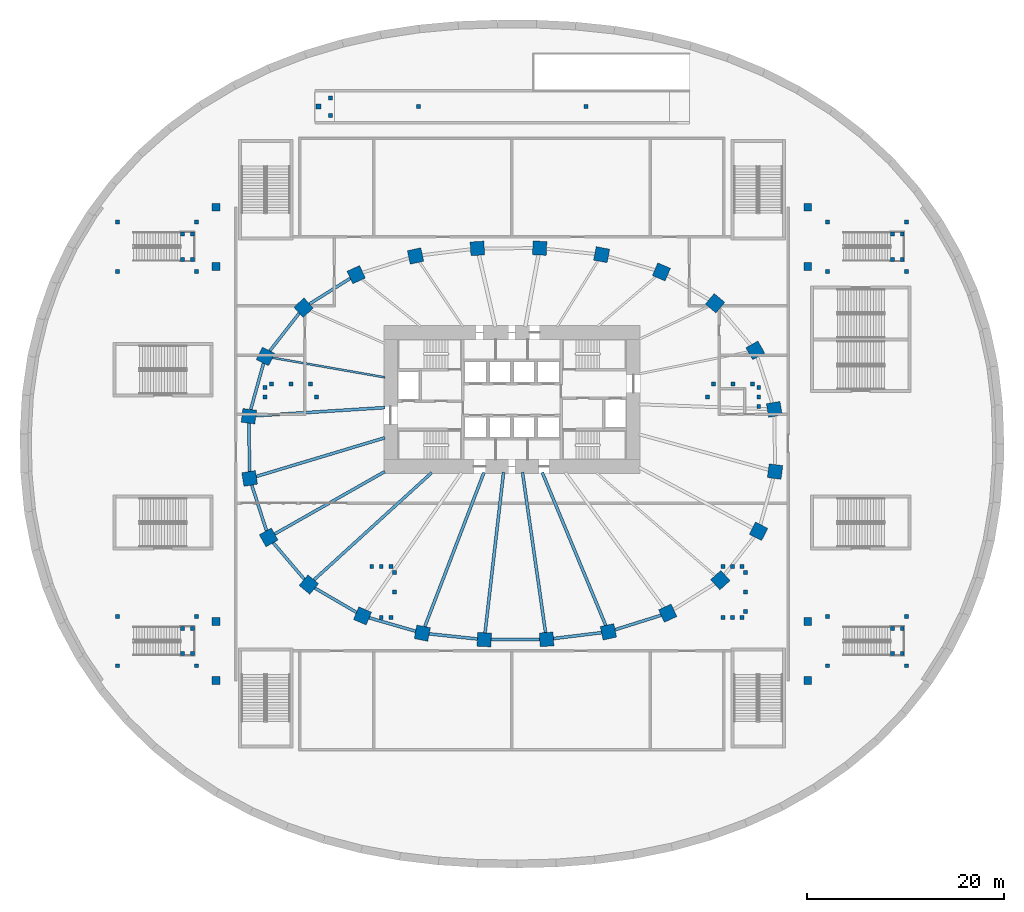
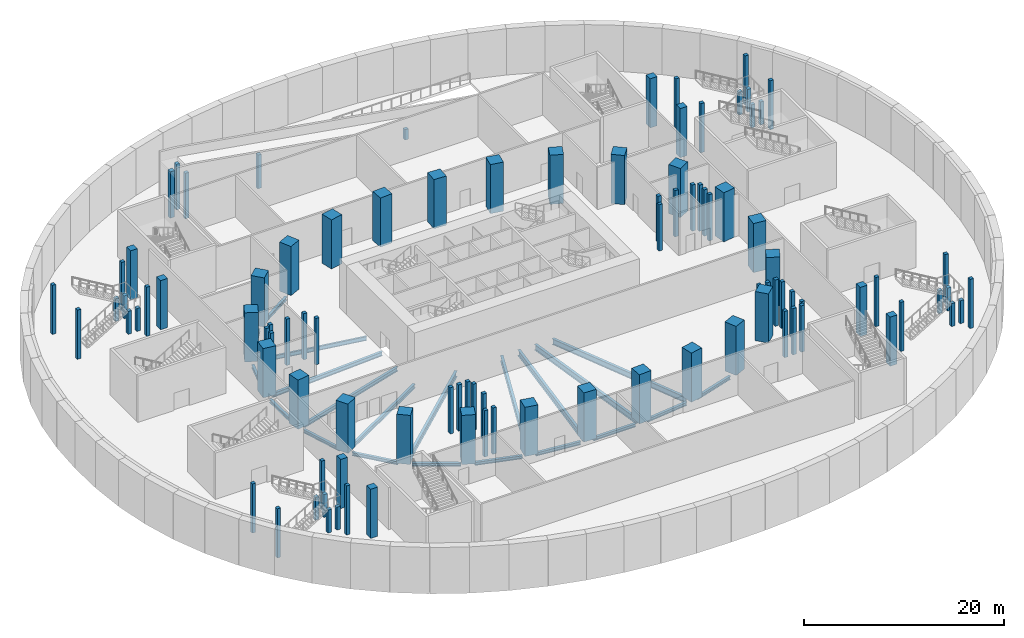
# One storey, part 1 of 19: 98 columns, 21 beams.
"""IFC4 building model written with IfcOpenShell, lengths in metres."""

from ifc_helpers import new_model, si_unit, direction, frame, origin, origin_2d, place, context, subcontext, project, spatial, rectangle, i_section, extrude, material, material_profile, profile_set, type_object, element, save


model = new_model("IFC4")

# Units and contexts
model_context = context("Model", 3, precision=1e-05, world=origin(), true_north=direction((0.0, 1.0)))
body_context = subcontext(model_context, "Body", "Model", "MODEL_VIEW")
ifc_project = project(units=[si_unit("LENGTHUNIT", "METRE"), si_unit("AREAUNIT", "SQUARE_METRE"), si_unit("VOLUMEUNIT", "CUBIC_METRE"), si_unit("PLANEANGLEUNIT", "RADIAN"), si_unit("MASSUNIT", "GRAM", prefix="KILO")], contexts=[model_context])

# Site, building, storey
site_placement = place(None, origin())
site = spatial("IfcSite", under=ifc_project, at=site_placement, CompositionType="ELEMENT")
building_placement = place(site_placement, origin())
building = spatial("IfcBuilding", under=site, at=building_placement, Name="Rubra Terraces Tower", CompositionType="ELEMENT")
storey_placement = place(building_placement, frame((0.0, 0.0, -6.0)))
storey = spatial("IfcBuildingStorey", under=building, at=storey_placement, Name="B1", CompositionType="ELEMENT", Elevation=-6.0)

# Columns
ifc_material_1 = material(Name="Concrete C50", Category="concrete")
ifc_material_profile_1 = material_profile(ifc_material_1, rectangle(XDim=0.800048828125, YDim=0.800048828125, at=origin_2d()), Name="RC 800x800")
ifc_profile_set_1 = profile_set([ifc_material_profile_1], Name="Concrete C50")
column_type_1 = type_object("IfcColumnType", Name="BASEMENT COLUMN RC 800x800 C50", PredefinedType="COLUMN", material=ifc_profile_set_1)
for number, where, z_axis, x_axis, name in (
    (1, (-30.0, -24.0, 0.0), (0.0, 0.0, 1.0), (1.0, 0.0, 0.0), "column-B1-grid-001"),
    (2, (-30.0, -18.0, 0.0), (0.0, 0.0, 1.0), (1.0, 0.0, 0.0), "column-B1-grid-002"),
    (3, (-30.0, 18.0, 0.0), (0.0, 0.0, 1.0), (1.0, 0.0, 0.0), "column-B1-grid-003"),
    (4, (-30.0, 24.0, 0.0), (0.0, 0.0, 1.0), (1.0, 0.0, 0.0), "column-B1-grid-004"),
    (5, (30.0, -24.0, 0.0), (0.0, 0.0, 1.0), (1.0, 0.0, 0.0), "column-B1-grid-005"),
    (6, (30.0, -18.0, 0.0), (0.0, 0.0, 1.0), (1.0, 0.0, 0.0), "column-B1-grid-006"),
    (7, (30.0, 18.0, 0.0), (0.0, 0.0, 1.0), (1.0, 0.0, 0.0), "column-B1-grid-007"),
    (8, (30.0, 24.0, 0.0), (0.0, 0.0, 1.0), (1.0, 0.0, 0.0), "column-B1-grid-008"),
):
    element("IfcColumn", number, at=place(storey_placement, frame(where, z_axis=z_axis, x_axis=x_axis)), inside=storey, type_object=column_type_1, Name=name, PredefinedType="COLUMN", context=body_context, shape_type="SweptSolid", body=[
        extrude(rectangle(XDim=0.800048828125, YDim=0.800048828125, at=origin_2d()), origin(), (0.0, 0.0, 1.0), 6.0),
    ])
ifc_material_2 = material(Name="Concrete C40/50", Category="concrete")
ifc_material_profile_2 = material_profile(ifc_material_2, rectangle(XDim=0.39990234375, YDim=0.39990234375, at=origin_2d()), Name="RC 400x400")
ifc_profile_set_2 = profile_set([ifc_material_profile_2], Name="Concrete C40/50")
column_type_2 = type_object("IfcColumnType", Name="Pavilion column RC 400 x 400", PredefinedType="COLUMN", material=ifc_profile_set_2)
for number, where, z_axis, x_axis, name in (
    (9, (32.0, 17.5, 0.0), (0.0, 0.0, 1.0), (1.0, 0.0, 0.0), "Pavilion SP1 column 1"),
    (10, (40.0, 17.5, 0.0), (0.0, 0.0, 1.0), (1.0, 0.0, 0.0), "Pavilion SP1 column 2"),
    (11, (40.0, 22.5, 0.0), (0.0, 0.0, 1.0), (1.0, 0.0, 0.0), "Pavilion SP1 column 3"),
    (12, (32.0, 22.5, 0.0), (0.0, 0.0, 1.0), (1.0, 0.0, 0.0), "Pavilion SP1 column 4"),
):
    element("IfcColumn", number, at=place(storey_placement, frame(where, z_axis=z_axis, x_axis=x_axis)), inside=storey, type_object=column_type_2, Name=name, PredefinedType="COLUMN", context=body_context, shape_type="SweptSolid", body=[
        extrude(rectangle(XDim=0.39990234375, YDim=0.39990234375, at=origin_2d()), origin(), (0.0, 0.0, 1.0), 6.0),
    ])
for number, where, z_axis, x_axis, name in (
    (13, (38.580078125, 18.72509765625, 0.0), (0.0, 0.0, 1.0), (1.0, 0.0, 0.0), "Pavilion SP1 landing column 1"),
    (14, (39.580078125, 18.72509765625, 0.0), (0.0, 0.0, 1.0), (1.0, 0.0, 0.0), "Pavilion SP1 landing column 2"),
    (15, (39.580078125, 21.27490234375, 0.0), (0.0, 0.0, 1.0), (1.0, 0.0, 0.0), "Pavilion SP1 landing column 3"),
    (16, (38.580078125, 21.27490234375, 0.0), (0.0, 0.0, 1.0), (1.0, 0.0, 0.0), "Pavilion SP1 landing column 4"),
):
    element("IfcColumn", number, at=place(storey_placement, frame(where, z_axis=z_axis, x_axis=x_axis)), inside=storey, type_object=column_type_2, Name=name, PredefinedType="COLUMN", context=body_context, shape_type="SweptSolid", body=[
        extrude(rectangle(XDim=0.39990234375, YDim=0.39990234375, at=origin_2d()), origin(), (0.0, 0.0, 1.0), 2.800048828125),
    ])
for number, where, z_axis, x_axis, name in (
    (17, (-40.0, 17.5, 0.0), (0.0, 0.0, 1.0), (1.0, 0.0, 0.0), "Pavilion SP2 column 1"),
    (18, (-32.0, 17.5, 0.0), (0.0, 0.0, 1.0), (1.0, 0.0, 0.0), "Pavilion SP2 column 2"),
    (19, (-32.0, 22.5, 0.0), (0.0, 0.0, 1.0), (1.0, 0.0, 0.0), "Pavilion SP2 column 3"),
    (20, (-40.0, 22.5, 0.0), (0.0, 0.0, 1.0), (1.0, 0.0, 0.0), "Pavilion SP2 column 4"),
):
    element("IfcColumn", number, at=place(storey_placement, frame(where, z_axis=z_axis, x_axis=x_axis)), inside=storey, type_object=column_type_2, Name=name, PredefinedType="COLUMN", context=body_context, shape_type="SweptSolid", body=[
        extrude(rectangle(XDim=0.39990234375, YDim=0.39990234375, at=origin_2d()), origin(), (0.0, 0.0, 1.0), 6.0),
    ])
for number, where, z_axis, x_axis, name in (
    (21, (-33.419921875, 18.72509765625, 0.0), (0.0, 0.0, 1.0), (1.0, 0.0, 0.0), "Pavilion SP2 landing column 1"),
    (22, (-32.419921875, 18.72509765625, 0.0), (0.0, 0.0, 1.0), (1.0, 0.0, 0.0), "Pavilion SP2 landing column 2"),
    (23, (-32.419921875, 21.27490234375, 0.0), (0.0, 0.0, 1.0), (1.0, 0.0, 0.0), "Pavilion SP2 landing column 3"),
    (24, (-33.419921875, 21.27490234375, 0.0), (0.0, 0.0, 1.0), (1.0, 0.0, 0.0), "Pavilion SP2 landing column 4"),
):
    element("IfcColumn", number, at=place(storey_placement, frame(where, z_axis=z_axis, x_axis=x_axis)), inside=storey, type_object=column_type_2, Name=name, PredefinedType="COLUMN", context=body_context, shape_type="SweptSolid", body=[
        extrude(rectangle(XDim=0.39990234375, YDim=0.39990234375, at=origin_2d()), origin(), (0.0, 0.0, 1.0), 2.800048828125),
    ])
for number, where, z_axis, x_axis, name in (
    (25, (-40.0, -22.5, 0.0), (0.0, 0.0, 1.0), (1.0, 0.0, 0.0), "Pavilion SP3 column 1"),
    (26, (-32.0, -22.5, 0.0), (0.0, 0.0, 1.0), (1.0, 0.0, 0.0), "Pavilion SP3 column 2"),
    (27, (-32.0, -17.5, 0.0), (0.0, 0.0, 1.0), (1.0, 0.0, 0.0), "Pavilion SP3 column 3"),
    (28, (-40.0, -17.5, 0.0), (0.0, 0.0, 1.0), (1.0, 0.0, 0.0), "Pavilion SP3 column 4"),
):
    element("IfcColumn", number, at=place(storey_placement, frame(where, z_axis=z_axis, x_axis=x_axis)), inside=storey, type_object=column_type_2, Name=name, PredefinedType="COLUMN", context=body_context, shape_type="SweptSolid", body=[
        extrude(rectangle(XDim=0.39990234375, YDim=0.39990234375, at=origin_2d()), origin(), (0.0, 0.0, 1.0), 6.0),
    ])
for number, where, z_axis, x_axis, name in (
    (29, (-33.419921875, -21.27490234375, 0.0), (0.0, 0.0, 1.0), (1.0, 0.0, 0.0), "Pavilion SP3 landing column 1"),
    (30, (-32.419921875, -21.27490234375, 0.0), (0.0, 0.0, 1.0), (1.0, 0.0, 0.0), "Pavilion SP3 landing column 2"),
    (31, (-32.419921875, -18.72509765625, 0.0), (0.0, 0.0, 1.0), (1.0, 0.0, 0.0), "Pavilion SP3 landing column 3"),
    (32, (-33.419921875, -18.72509765625, 0.0), (0.0, 0.0, 1.0), (1.0, 0.0, 0.0), "Pavilion SP3 landing column 4"),
):
    element("IfcColumn", number, at=place(storey_placement, frame(where, z_axis=z_axis, x_axis=x_axis)), inside=storey, type_object=column_type_2, Name=name, PredefinedType="COLUMN", context=body_context, shape_type="SweptSolid", body=[
        extrude(rectangle(XDim=0.39990234375, YDim=0.39990234375, at=origin_2d()), origin(), (0.0, 0.0, 1.0), 2.800048828125),
    ])
for number, where, z_axis, x_axis, name in (
    (33, (32.0, -22.5, 0.0), (0.0, 0.0, 1.0), (1.0, 0.0, 0.0), "Pavilion SP4 column 1"),
    (34, (40.0, -22.5, 0.0), (0.0, 0.0, 1.0), (1.0, 0.0, 0.0), "Pavilion SP4 column 2"),
    (35, (40.0, -17.5, 0.0), (0.0, 0.0, 1.0), (1.0, 0.0, 0.0), "Pavilion SP4 column 3"),
    (36, (32.0, -17.5, 0.0), (0.0, 0.0, 1.0), (1.0, 0.0, 0.0), "Pavilion SP4 column 4"),
):
    element("IfcColumn", number, at=place(storey_placement, frame(where, z_axis=z_axis, x_axis=x_axis)), inside=storey, type_object=column_type_2, Name=name, PredefinedType="COLUMN", context=body_context, shape_type="SweptSolid", body=[
        extrude(rectangle(XDim=0.39990234375, YDim=0.39990234375, at=origin_2d()), origin(), (0.0, 0.0, 1.0), 6.0),
    ])
for number, where, z_axis, x_axis, name in (
    (37, (38.580078125, -21.27490234375, 0.0), (0.0, 0.0, 1.0), (1.0, 0.0, 0.0), "Pavilion SP4 landing column 1"),
    (38, (39.580078125, -21.27490234375, 0.0), (0.0, 0.0, 1.0), (1.0, 0.0, 0.0), "Pavilion SP4 landing column 2"),
    (39, (39.580078125, -18.72509765625, 0.0), (0.0, 0.0, 1.0), (1.0, 0.0, 0.0), "Pavilion SP4 landing column 3"),
    (40, (38.580078125, -18.72509765625, 0.0), (0.0, 0.0, 1.0), (1.0, 0.0, 0.0), "Pavilion SP4 landing column 4"),
):
    element("IfcColumn", number, at=place(storey_placement, frame(where, z_axis=z_axis, x_axis=x_axis)), inside=storey, type_object=column_type_2, Name=name, PredefinedType="COLUMN", context=body_context, shape_type="SweptSolid", body=[
        extrude(rectangle(XDim=0.39990234375, YDim=0.39990234375, at=origin_2d()), origin(), (0.0, 0.0, 1.0), 2.800048828125),
    ])
ifc_material_3 = material(Name="Concrete C60", Category="concrete")
ifc_material_profile_3 = material_profile(ifc_material_3, rectangle(XDim=1.39990234375, YDim=1.39990234375, at=origin_2d()), Name="RC 1400x1400")
ifc_profile_set_3 = profile_set([ifc_material_profile_3], Name="Concrete C60")
column_type_3 = type_object("IfcColumnType", Name="RING COLUMN RC 1400x1400 C60", PredefinedType="COLUMN", material=ifc_profile_set_3)
for number, where, z_axis, x_axis, name in (
    (41, (26.60498046875, 3.5029296875, 0.0), (0.0, 0.0, 1.0), (-0.161234051287, 0.986916197408, 0.0), "column-B1-ring-01"),
    (42, (24.676025390625, 9.48291015625, 0.0), (0.0, 0.0, 1.0), (-0.487226597714, 0.873275582208, 0.0), "column-B1-ring-02"),
    (43, (20.60009765625, 14.26611328125, 0.0), (0.0, 0.0, 1.0), (-0.767209547574, 0.641396531104, 0.0), "column-B1-ring-03"),
    (44, (15.156982421875, 17.44091796875, 0.0), (0.0, 0.0, 1.0), (-0.919293738002, 0.393572132232, 0.0), "column-B1-ring-04"),
    (45, (9.093994140625, 19.19189453125, 0.0), (0.0, 0.0, 1.0), (-0.981430410798, 0.191818530806, 0.0), "column-B1-ring-05"),
    (46, (2.81103515625, 19.85400390625, 0.0), (0.0, 0.0, 1.0), (-0.99874501614, 0.050083857035, 0.0), "column-B1-ring-06"),
    (47, (-3.509033203125, 19.823974609375, 0.0), (0.0, 0.0, 1.0), (-0.9980076013, -0.063093801177, 0.0), "column-B1-ring-07"),
    (48, (-9.780029296875, 19.05810546875, 0.0), (0.0, 0.0, 1.0), (-0.977386186482, -0.211462153764, 0.0), "column-B1-ring-08"),
    (49, (-15.799072265625, 17.1650390625, 0.0), (0.0, 0.0, 1.0), (-0.907952363445, -0.419073389413, 0.0), "column-B1-ring-09"),
    (50, (-21.135009765625, 13.81689453125, 0.0), (0.0, 0.0, 1.0), (-0.742675944539, -0.66965098477, 0.0), "column-B1-ring-10"),
    (51, (-25.0029296875, 8.865966796875, 0.0), (0.0, 0.0, 1.0), (-0.450098906028, -0.892978709036, 0.0), "column-B1-ring-11"),
    (52, (-26.68408203125, 2.80810546875, 0.0), (0.0, 0.0, 1.0), (-0.128444510405, -0.991716697322, 0.0), "column-B1-ring-12"),
    (53, (-26.60498046875, -3.5029296875, 0.0), (0.0, 0.0, 1.0), (0.161234051287, -0.986916197408, 0.0), "column-B1-ring-13"),
    (54, (-24.676025390625, -9.48291015625, 0.0), (0.0, 0.0, 1.0), (0.487226597714, -0.873275582208, 0.0), "column-B1-ring-14"),
    (55, (-20.60009765625, -14.26611328125, 0.0), (0.0, 0.0, 1.0), (0.767209547574, -0.641396531104, 0.0), "column-B1-ring-15"),
    (56, (-15.156982421875, -17.44091796875, 0.0), (0.0, 0.0, 1.0), (0.919293738002, -0.393572132232, 0.0), "column-B1-ring-16"),
    (57, (-9.093994140625, -19.19189453125, 0.0), (0.0, 0.0, 1.0), (0.981430410798, -0.191818530806, 0.0), "column-B1-ring-17"),
    (58, (-2.81103515625, -19.85400390625, 0.0), (0.0, 0.0, 1.0), (0.99874501614, -0.050083857035, 0.0), "column-B1-ring-18"),
    (59, (3.509033203125, -19.823974609375, 0.0), (0.0, 0.0, 1.0), (0.9980076013, 0.063093801177, 0.0), "column-B1-ring-19"),
    (60, (9.780029296875, -19.05810546875, 0.0), (0.0, 0.0, 1.0), (0.977386186482, 0.211462153764, 0.0), "column-B1-ring-20"),
    (61, (15.799072265625, -17.1650390625, 0.0), (0.0, 0.0, 1.0), (0.907952363445, 0.419073389413, 0.0), "column-B1-ring-21"),
    (62, (21.135009765625, -13.81689453125, 0.0), (0.0, 0.0, 1.0), (0.742675944539, 0.66965098477, 0.0), "column-B1-ring-22"),
    (63, (25.0029296875, -8.865966796875, 0.0), (0.0, 0.0, 1.0), (0.450098906028, 0.892978709036, 0.0), "column-B1-ring-23"),
    (64, (26.68408203125, -2.80810546875, 0.0), (0.0, 0.0, 1.0), (0.128444510405, 0.991716697322, 0.0), "column-B1-ring-24"),
):
    element("IfcColumn", number, at=place(storey_placement, frame(where, z_axis=z_axis, x_axis=x_axis)), inside=storey, type_object=column_type_3, Name=name, PredefinedType="COLUMN", context=body_context, shape_type="SweptSolid", body=[
        extrude(rectangle(XDim=1.39990234375, YDim=1.39990234375, at=origin_2d()), origin(), (0.0, 0.0, 1.0), 6.0),
    ])
ifc_material_profile_4 = material_profile(ifc_material_1, rectangle(XDim=0.39990234375, YDim=0.39990234375, at=origin_2d()), Name="RC 400x400")
ifc_profile_set_4 = profile_set([ifc_material_profile_4], Name="Concrete C50")
column_type_4 = type_object("IfcColumnType", Name="STAIR SUPPORT COLUMN RC 400x400 C50", PredefinedType="COLUMN", material=ifc_profile_set_4)
for number, where, z_axis, x_axis, name in (
    (65, (-20.449951171875, 6.0849609375, 0.0), (0.0, 0.0, 1.0), (1.0, 0.0, 0.0), "column-B1-ps-support-01"),
    (66, (-24.39990234375, 6.0849609375, 0.0), (0.0, 0.0, 1.0), (1.0, 0.0, 0.0), "column-B1-ps-support-02"),
    (67, (-22.425048828125, 6.0849609375, 0.0), (0.0, 0.0, 1.0), (1.0, 0.0, 0.0), "column-B1-ps-support-03"),
    (68, (-25.02490234375, 5.7099609375, 0.0), (0.0, 0.0, 1.0), (1.0, 0.0, 0.0), "column-B1-ps-support-04"),
    (69, (-25.02490234375, 4.7451171875, 0.0), (0.0, 0.0, 1.0), (1.0, 0.0, 0.0), "column-B1-ps-support-05"),
    (70, (-19.824951171875, 4.7451171875, 0.0), (0.0, 0.0, 1.0), (1.0, 0.0, 0.0), "column-B1-ps-support-06"),
    (71, (24.39990234375, 6.0849609375, 0.0), (0.0, 0.0, 1.0), (1.0, 0.0, 0.0), "column-B1-ps-support-07"),
    (72, (20.449951171875, 6.0849609375, 0.0), (0.0, 0.0, 1.0), (1.0, 0.0, 0.0), "column-B1-ps-support-08"),
    (73, (22.425048828125, 6.0849609375, 0.0), (0.0, 0.0, 1.0), (1.0, 0.0, 0.0), "column-B1-ps-support-09"),
    (74, (19.824951171875, 4.7451171875, 0.0), (0.0, 0.0, 1.0), (1.0, 0.0, 0.0), "column-B1-ps-support-10"),
    (75, (25.02490234375, 3.780029296875, 0.0), (0.0, 0.0, 1.0), (1.0, 0.0, 0.0), "column-B1-ps-support-11"),
    (76, (25.02490234375, 5.7099609375, 0.0), (0.0, 0.0, 1.0), (1.0, 0.0, 0.0), "column-B1-ps-support-12"),
    (77, (25.02490234375, 4.7451171875, 0.0), (0.0, 0.0, 1.0), (1.0, 0.0, 0.0), "column-B1-ps-support-13"),
    (78, (-11.9150390625, -13.050048828125, 0.0), (0.0, 0.0, 1.0), (1.0, 0.0, 0.0), "column-B1-ps-support-14"),
    (79, (-11.9150390625, -15.02490234375, 0.0), (0.0, 0.0, 1.0), (1.0, 0.0, 0.0), "column-B1-ps-support-15"),
    (80, (-12.2900390625, -17.625, 0.0), (0.0, 0.0, 1.0), (1.0, 0.0, 0.0), "column-B1-ps-support-16"),
    (81, (-13.2548828125, -17.625, 0.0), (0.0, 0.0, 1.0), (1.0, 0.0, 0.0), "column-B1-ps-support-17"),
    (82, (-14.219970703125, -12.425048828125, 0.0), (0.0, 0.0, 1.0), (1.0, 0.0, 0.0), "column-B1-ps-support-18"),
    (83, (-12.2900390625, -12.425048828125, 0.0), (0.0, 0.0, 1.0), (1.0, 0.0, 0.0), "column-B1-ps-support-19"),
    (84, (-13.2548828125, -12.425048828125, 0.0), (0.0, 0.0, 1.0), (1.0, 0.0, 0.0), "column-B1-ps-support-20"),
    (85, (23.68505859375, -17.0, 0.0), (0.0, 0.0, 1.0), (1.0, 0.0, 0.0), "column-B1-ps-support-21"),
    (86, (23.68505859375, -13.050048828125, 0.0), (0.0, 0.0, 1.0), (1.0, 0.0, 0.0), "column-B1-ps-support-22"),
    (87, (23.68505859375, -15.02490234375, 0.0), (0.0, 0.0, 1.0), (1.0, 0.0, 0.0), "column-B1-ps-support-23"),
    (88, (21.3798828125, -17.625, 0.0), (0.0, 0.0, 1.0), (1.0, 0.0, 0.0), "column-B1-ps-support-24"),
    (89, (23.31005859375, -17.625, 0.0), (0.0, 0.0, 1.0), (1.0, 0.0, 0.0), "column-B1-ps-support-25"),
    (90, (22.344970703125, -17.625, 0.0), (0.0, 0.0, 1.0), (1.0, 0.0, 0.0), "column-B1-ps-support-26"),
    (91, (21.3798828125, -12.425048828125, 0.0), (0.0, 0.0, 1.0), (1.0, 0.0, 0.0), "column-B1-ps-support-27"),
    (92, (23.31005859375, -12.425048828125, 0.0), (0.0, 0.0, 1.0), (1.0, 0.0, 0.0), "column-B1-ps-support-28"),
    (93, (22.344970703125, -12.425048828125, 0.0), (0.0, 0.0, 1.0), (1.0, 0.0, 0.0), "column-B1-ps-support-29"),
):
    element("IfcColumn", number, at=place(storey_placement, frame(where, z_axis=z_axis, x_axis=x_axis)), inside=storey, type_object=column_type_4, Name=name, PredefinedType="COLUMN", context=body_context, shape_type="SweptSolid", body=[
        extrude(rectangle(XDim=0.39990234375, YDim=0.39990234375, at=origin_2d()), origin(), (0.0, 0.0, 1.0), 5.64990234375),
    ])
ifc_material_profile_5 = material_profile(ifc_material_1, rectangle(XDim=0.39990234375, YDim=0.39990234375, at=origin_2d()), Name="RC 400x400")
ifc_profile_set_5 = profile_set([ifc_material_profile_5], Name="Concrete C50")
column_type_5 = type_object("IfcColumnType", Name="STAIR SUPPORT COLUMN SSC2 RC 400x400 C50", PredefinedType="COLUMN", material=ifc_profile_set_5)
column_1_placement = place(storey_placement, frame((7.5, 34.199951171875, 0.0), z_axis=(0.0, 0.0, 1.0), x_axis=(1.0, 0.0, 0.0)))
element("IfcColumn", 94, at=column_1_placement, inside=storey, type_object=column_type_5, Name="column-B1-rp3-support-04", PredefinedType="COLUMN", context=body_context, shape_type="SweptSolid", body=[
    extrude(rectangle(XDim=0.39990234375, YDim=0.39990234375, at=origin_2d()), origin(), (0.0, 0.0, 1.0), 1.280029296875),
])
ifc_material_profile_6 = material_profile(ifc_material_1, rectangle(XDim=0.39990234375, YDim=0.39990234375, at=origin_2d()), Name="RC 400x400")
ifc_profile_set_6 = profile_set([ifc_material_profile_6], Name="Concrete C50")
column_type_6 = type_object("IfcColumnType", Name="STAIR SUPPORT COLUMN SSC3 RC 400x400 C50", PredefinedType="COLUMN", material=ifc_profile_set_6)
column_2_placement = place(storey_placement, frame((-9.5, 34.199951171875, 0.0), z_axis=(0.0, 0.0, 1.0), x_axis=(1.0, 0.0, 0.0)))
element("IfcColumn", 95, at=column_2_placement, inside=storey, type_object=column_type_6, Name="column-B1-rp3-support-05", PredefinedType="COLUMN", context=body_context, shape_type="SweptSolid", body=[
    extrude(rectangle(XDim=0.39990234375, YDim=0.39990234375, at=origin_2d()), origin(), (0.0, 0.0, 1.0), 4.114013671875),
])
ifc_material_profile_7 = material_profile(ifc_material_1, rectangle(XDim=0.39990234375, YDim=0.39990234375, at=origin_2d()), Name="RC 400x400")
ifc_profile_set_7 = profile_set([ifc_material_profile_7], Name="Concrete C50")
column_type_7 = type_object("IfcColumnType", Name="STAIR SUPPORT COLUMN SSC4 RC 400x400 C50", PredefinedType="COLUMN", material=ifc_profile_set_7)
for number, where, z_axis, x_axis, name in (
    (96, (-18.39990234375, 35.10009765625, 0.0), (0.0, 0.0, 1.0), (1.0, 0.0, 0.0), "column-B1-rp3-support-06"),
    (97, (-18.39990234375, 33.300048828125, 0.0), (0.0, 0.0, 1.0), (1.0, 0.0, 0.0), "column-B1-rp3-support-07"),
):
    element("IfcColumn", number, at=place(storey_placement, frame(where, z_axis=z_axis, x_axis=x_axis)), inside=storey, type_object=column_type_7, Name=name, PredefinedType="COLUMN", context=body_context, shape_type="SweptSolid", body=[
        extrude(rectangle(XDim=0.39990234375, YDim=0.39990234375, at=origin_2d()), origin(), (0.0, 0.0, 1.0), 5.56396484375),
    ])
ifc_material_profile_8 = material_profile(ifc_material_1, rectangle(XDim=0.5, YDim=0.5, at=origin_2d()), Name="RC 500x500")
ifc_profile_set_8 = profile_set([ifc_material_profile_8], Name="Concrete C50")
column_type_8 = type_object("IfcColumnType", Name="STAIR SUPPORT COLUMN SSC5 RC 500x500 C50", PredefinedType="COLUMN", material=ifc_profile_set_8)
column_3_placement = place(storey_placement, frame((-19.60009765625, 34.199951171875, 0.0), z_axis=(0.0, 0.0, 1.0), x_axis=(1.0, 0.0, 0.0)))
element("IfcColumn", 98, at=column_3_placement, inside=storey, type_object=column_type_8, Name="column-B1-rp3-support-08", PredefinedType="COLUMN", context=body_context, shape_type="SweptSolid", body=[
    extrude(rectangle(XDim=0.5, YDim=0.5, at=origin_2d()), origin(), (0.0, 0.0, 1.0), 5.6640625),
])

# Beams
ifc_material_4 = material(Name="Steel Q355B", Category="steel")
ifc_material_profile_9 = material_profile(ifc_material_4, i_section(OverallWidth=0.300048828125, OverallDepth=0.48193359375, WebThickness=0.010986328125, FlangeThickness=0.014892578125, at=origin_2d()), Name="HM 482x300x11x15")
ifc_profile_set_9 = profile_set([ifc_material_profile_9], Name="Steel Q355B")
beam_type_1 = type_object("IfcBeamType", Name="FLOOR BEAM HM 482x300x11x15", PredefinedType="BEAM", material=ifc_profile_set_9)
beam_1_placement = place(storey_placement, frame((-25.971923828125, 2.85302734375, -0.541015625), z_axis=(0.997996052936, 0.06327620662, 0.0), x_axis=(-0.06327620662, 0.997996052936, 0.0)))
element("IfcBeam", 99, at=beam_1_placement, inside=storey, type_object=beam_type_1, Name="beam-B1-floor-12", PredefinedType="BEAM", context=body_context, shape_type="SweptSolid", body=[
    extrude(i_section(OverallWidth=0.300048828125, OverallDepth=0.48193359375, WebThickness=0.010986328125, FlangeThickness=0.014892578125, at=origin_2d()), origin(), (0.0, 0.0, 1.0), 13.118408203125),
])
beam_2_placement = place(storey_placement, frame((-25.928955078125, -3.300048828125, -0.541015625), z_axis=(0.957605991861, 0.288081176671, 0.0), x_axis=(-0.288081176671, 0.957605991861, 0.0)))
element("IfcBeam", 100, at=beam_2_placement, inside=storey, type_object=beam_type_1, Name="beam-B1-floor-13", PredefinedType="BEAM", context=body_context, shape_type="SweptSolid", body=[
    extrude(i_section(OverallWidth=0.300048828125, OverallDepth=0.48193359375, WebThickness=0.010986328125, FlangeThickness=0.014892578125, at=origin_2d()), origin(), (0.0, 0.0, 1.0), 13.621337890625),
])
beam_3_placement = place(storey_placement, frame((-24.06689453125, -9.137939453125, -0.541015625), z_axis=(0.869992824144, 0.493064383157, 0.0), x_axis=(-0.493064383157, 0.869992824144, 0.0)))
element("IfcBeam", 101, at=beam_3_placement, inside=storey, type_object=beam_type_1, Name="beam-B1-floor-14", PredefinedType="BEAM", context=body_context, shape_type="SweptSolid", body=[
    extrude(i_section(OverallWidth=0.300048828125, OverallDepth=0.48193359375, WebThickness=0.010986328125, FlangeThickness=0.014892578125, at=origin_2d()), origin(), (0.0, 0.0, 1.0), 12.84033203125),
])
ifc_material_profile_10 = material_profile(ifc_material_4, i_section(OverallWidth=0.198974609375, OverallDepth=0.49609375, WebThickness=0.009033203125, FlangeThickness=0.013916015625, at=origin_2d()), Name="HN 496x199x9x14")
ifc_profile_set_10 = profile_set([ifc_material_profile_10], Name="Steel Q355B")
beam_type_2 = type_object("IfcBeamType", Name="FLOOR BEAM HN 496x199x9x14", PredefinedType="BEAM", material=ifc_profile_set_10)
beam_4_placement = place(storey_placement, frame((-24.282958984375, 8.739990234375, -0.548095703125), z_axis=(0.985091834527, -0.172029292701, 0.0), x_axis=(0.172029292701, 0.985091834527, 0.0)))
element("IfcBeam", 102, at=beam_4_placement, inside=storey, type_object=beam_type_2, Name="beam-B1-floor-11", PredefinedType="BEAM", context=body_context, shape_type="SweptSolid", body=[
    extrude(i_section(OverallWidth=0.198974609375, OverallDepth=0.49609375, WebThickness=0.009033203125, FlangeThickness=0.013916015625, at=origin_2d()), origin(), (0.0, 0.0, 1.0), 11.573486328125),
])
ifc_material_profile_11 = material_profile(ifc_material_4, i_section(OverallWidth=0.300048828125, OverallDepth=0.699951171875, WebThickness=0.012939453125, FlangeThickness=0.02392578125, at=origin_2d()), Name="HN 700x300x13x24")
ifc_profile_set_11 = profile_set([ifc_material_profile_11], Name="Steel Q355B")
beam_type_3 = type_object("IfcBeamType", Name="FLOOR BEAM HN 700x300x13x24", PredefinedType="BEAM", material=ifc_profile_set_11)
beam_5_placement = place(storey_placement, frame((-20.077880859375, -13.7900390625, -0.64990234375), z_axis=(0.739256734846, 0.673423700195, 0.0), x_axis=(-0.673423700195, 0.739256734846, 0.0)))
element("IfcBeam", 103, at=beam_5_placement, inside=storey, type_object=beam_type_3, Name="beam-B1-floor-15", PredefinedType="BEAM", context=body_context, shape_type="SweptSolid", body=[
    extrude(i_section(OverallWidth=0.300048828125, OverallDepth=0.699951171875, WebThickness=0.012939453125, FlangeThickness=0.02392578125, at=origin_2d()), origin(), (0.0, 0.0, 1.0), 16.14306640625),
])
beam_6_placement = place(storey_placement, frame((-8.839111328125, -18.529052734375, -0.64990234375), z_axis=(0.358321803184, 0.933598139117, 0.0), x_axis=(-0.933598139117, 0.358321803184, 0.0)))
element("IfcBeam", 104, at=beam_6_placement, inside=storey, type_object=beam_type_3, Name="beam-B1-floor-17", PredefinedType="BEAM", context=body_context, shape_type="SweptSolid", body=[
    extrude(i_section(OverallWidth=0.300048828125, OverallDepth=0.699951171875, WebThickness=0.012939453125, FlangeThickness=0.02392578125, at=origin_2d()), origin(), (0.0, 0.0, 1.0), 16.753662109375),
])
beam_7_placement = place(storey_placement, frame((-2.73095703125, -19.156982421875, -0.64990234375), z_axis=(0.114679535872, 0.993402538779, 0.0), x_axis=(-0.993402538779, 0.114679535872, 0.0)))
element("IfcBeam", 105, at=beam_7_placement, inside=storey, type_object=beam_type_3, Name="beam-B1-floor-18", PredefinedType="BEAM", context=body_context, shape_type="SweptSolid", body=[
    extrude(i_section(OverallWidth=0.300048828125, OverallDepth=0.699951171875, WebThickness=0.012939453125, FlangeThickness=0.02392578125, at=origin_2d()), origin(), (0.0, 0.0, 1.0), 16.384033203125),
])
beam_8_placement = place(storey_placement, frame((3.408935546875, -19.12890625, -0.64990234375), z_axis=(-0.142787075711, 0.9897534294, 0.0), x_axis=(-0.9897534294, -0.142787075711, 0.0)))
element("IfcBeam", 106, at=beam_8_placement, inside=storey, type_object=beam_type_3, Name="beam-B1-floor-19", PredefinedType="BEAM", context=body_context, shape_type="SweptSolid", body=[
    extrude(i_section(OverallWidth=0.300048828125, OverallDepth=0.699951171875, WebThickness=0.012939453125, FlangeThickness=0.02392578125, at=origin_2d()), origin(), (0.0, 0.0, 1.0), 16.416015625),
])
beam_9_placement = place(storey_placement, frame((9.507080078125, -18.40087890625, -0.64990234375), z_axis=(-0.383379543301, 0.923590886582, 0.0), x_axis=(-0.923590886582, -0.383379543301, 0.0)))
element("IfcBeam", 107, at=beam_9_placement, inside=storey, type_object=beam_type_3, Name="beam-B1-floor-20", PredefinedType="BEAM", context=body_context, shape_type="SweptSolid", body=[
    extrude(i_section(OverallWidth=0.300048828125, OverallDepth=0.699951171875, WebThickness=0.012939453125, FlangeThickness=0.02392578125, at=origin_2d()), origin(), (0.0, 0.0, 1.0), 16.795166015625),
])
ifc_material_profile_12 = material_profile(ifc_material_4, i_section(OverallWidth=0.300048828125, OverallDepth=0.389892578125, WebThickness=0.010009765625, FlangeThickness=0.01611328125, at=origin_2d()), Name="HM 390x300x10x16")
ifc_profile_set_12 = profile_set([ifc_material_profile_12], Name="Steel Q355B")
beam_type_4 = type_object("IfcBeamType", Name="SPANDREL BEAM HM 390x300x10x16", PredefinedType="SPANDREL", material=ifc_profile_set_12)
beam_10_placement = place(storey_placement, frame((-16.39697265625, 16.7900390625, -0.4951171875), z_axis=(-0.847078460197, -0.531467856291, 0.0), x_axis=(0.531467856291, -0.847078460197, 0.0)))
element("IfcBeam", 108, at=beam_10_placement, inside=storey, type_object=beam_type_4, Name="beam-B1-spandrel-09", PredefinedType="SPANDREL", context=body_context, shape_type="SweptSolid", body=[
    extrude(i_section(OverallWidth=0.300048828125, OverallDepth=0.389892578125, WebThickness=0.010009765625, FlangeThickness=0.01611328125, at=origin_2d()), origin(), (0.0, 0.0, 1.0), 4.882568359375),
])
beam_11_placement = place(storey_placement, frame((-21.572998046875, 13.257080078125, -0.4951171875), z_axis=(-0.615577734286, -0.788076172112, 0.0), x_axis=(0.788076172112, -0.615577734286, 0.0)))
element("IfcBeam", 109, at=beam_11_placement, inside=storey, type_object=beam_type_4, Name="beam-B1-spandrel-10", PredefinedType="SPANDREL", context=body_context, shape_type="SweptSolid", body=[
    extrude(i_section(OverallWidth=0.300048828125, OverallDepth=0.389892578125, WebThickness=0.010009765625, FlangeThickness=0.01611328125, at=origin_2d()), origin(), (0.0, 0.0, 1.0), 4.85888671875),
])
beam_12_placement = place(storey_placement, frame((-25.194091796875, 8.177978515625, -0.4951171875), z_axis=(-0.267364386726, -0.96359549849, 0.0), x_axis=(0.96359549849, -0.267364386726, 0.0)))
element("IfcBeam", 110, at=beam_12_placement, inside=storey, type_object=beam_type_4, Name="beam-B1-spandrel-11", PredefinedType="SPANDREL", context=body_context, shape_type="SweptSolid", body=[
    extrude(i_section(OverallWidth=0.300048828125, OverallDepth=0.389892578125, WebThickness=0.010009765625, FlangeThickness=0.01611328125, at=origin_2d()), origin(), (0.0, 0.0, 1.0), 4.8662109375),
])
beam_13_placement = place(storey_placement, frame((-26.675048828125, 2.10107421875, -0.4951171875), z_axis=(0.012465372298, -0.999922304228, 0.0), x_axis=(0.999922304228, 0.012465372298, 0.0)))
element("IfcBeam", 111, at=beam_13_placement, inside=storey, type_object=beam_type_4, Name="beam-B1-spandrel-12", PredefinedType="SPANDREL", context=body_context, shape_type="SweptSolid", body=[
    extrude(i_section(OverallWidth=0.300048828125, OverallDepth=0.389892578125, WebThickness=0.010009765625, FlangeThickness=0.01611328125, at=origin_2d()), origin(), (0.0, 0.0, 1.0), 4.896484375),
])
beam_14_placement = place(storey_placement, frame((-26.387939453125, -4.177001953125, -0.4951171875), z_axis=(0.30706880261, -0.951687317591, 0.0), x_axis=(0.951687317591, 0.30706880261, 0.0)))
element("IfcBeam", 112, at=beam_14_placement, inside=storey, type_object=beam_type_4, Name="beam-B1-spandrel-13", PredefinedType="SPANDREL", context=body_context, shape_type="SweptSolid", body=[
    extrude(i_section(OverallWidth=0.300048828125, OverallDepth=0.389892578125, WebThickness=0.010009765625, FlangeThickness=0.01611328125, at=origin_2d()), origin(), (0.0, 0.0, 1.0), 4.86181640625),
])
beam_15_placement = place(storey_placement, frame((-24.212890625, -10.02587890625, -0.4951171875), z_axis=(0.648447050824, -0.761259760054, 0.0), x_axis=(0.761259760054, 0.648447050824, 0.0)))
element("IfcBeam", 113, at=beam_15_placement, inside=storey, type_object=beam_type_4, Name="beam-B1-spandrel-14", PredefinedType="SPANDREL", context=body_context, shape_type="SweptSolid", body=[
    extrude(i_section(OverallWidth=0.300048828125, OverallDepth=0.389892578125, WebThickness=0.010009765625, FlangeThickness=0.01611328125, at=origin_2d()), origin(), (0.0, 0.0, 1.0), 4.860595703125),
])
beam_16_placement = place(storey_placement, frame((-19.987060546875, -14.6240234375, -0.4951171875), z_axis=(0.863806081452, -0.503824427402, 0.0), x_axis=(0.503824427402, 0.863806081452, 0.0)))
element("IfcBeam", 114, at=beam_16_placement, inside=storey, type_object=beam_type_4, Name="beam-B1-spandrel-15", PredefinedType="SPANDREL", context=body_context, shape_type="SweptSolid", body=[
    extrude(i_section(OverallWidth=0.300048828125, OverallDepth=0.389892578125, WebThickness=0.010009765625, FlangeThickness=0.01611328125, at=origin_2d()), origin(), (0.0, 0.0, 1.0), 4.886474609375),
])
beam_17_placement = place(storey_placement, frame((-14.47900390625, -17.636962890625, -0.4951171875), z_axis=(0.960743980202, -0.277436487337, 0.0), x_axis=(0.277436487337, 0.960743980202, 0.0)))
element("IfcBeam", 115, at=beam_17_placement, inside=storey, type_object=beam_type_4, Name="beam-B1-spandrel-16", PredefinedType="SPANDREL", context=body_context, shape_type="SweptSolid", body=[
    extrude(i_section(OverallWidth=0.300048828125, OverallDepth=0.389892578125, WebThickness=0.010009765625, FlangeThickness=0.01611328125, at=origin_2d()), origin(), (0.0, 0.0, 1.0), 4.90234375),
])
beam_18_placement = place(storey_placement, frame((-8.39501953125, -19.26611328125, -0.4951171875), z_axis=(0.994495375694, -0.104780473964, 0.0), x_axis=(0.104780473964, 0.994495375694, 0.0)))
element("IfcBeam", 116, at=beam_18_placement, inside=storey, type_object=beam_type_4, Name="beam-B1-spandrel-17", PredefinedType="SPANDREL", context=body_context, shape_type="SweptSolid", body=[
    extrude(i_section(OverallWidth=0.300048828125, OverallDepth=0.389892578125, WebThickness=0.010009765625, FlangeThickness=0.01611328125, at=origin_2d()), origin(), (0.0, 0.0, 1.0), 4.9140625),
])
beam_19_placement = place(storey_placement, frame((-2.110107421875, -19.85107421875, -0.4951171875), z_axis=(0.999987924698, 0.004914311469, 0.0), x_axis=(-0.004914311469, 0.999987924698, 0.0)))
element("IfcBeam", 117, at=beam_19_placement, inside=storey, type_object=beam_type_4, Name="beam-B1-spandrel-18", PredefinedType="SPANDREL", context=body_context, shape_type="SweptSolid", body=[
    extrude(i_section(OverallWidth=0.300048828125, OverallDepth=0.389892578125, WebThickness=0.010009765625, FlangeThickness=0.01611328125, at=origin_2d()), origin(), (0.0, 0.0, 1.0), 4.918212890625),
])
beam_20_placement = place(storey_placement, frame((4.205078125, -19.739013671875, -0.4951171875), z_axis=(0.992616576014, 0.12129440639, 0.0), x_axis=(-0.12129440639, 0.992616576014, 0.0)))
element("IfcBeam", 118, at=beam_20_placement, inside=storey, type_object=beam_type_4, Name="beam-B1-spandrel-19", PredefinedType="SPANDREL", context=body_context, shape_type="SweptSolid", body=[
    extrude(i_section(OverallWidth=0.300048828125, OverallDepth=0.389892578125, WebThickness=0.010009765625, FlangeThickness=0.01611328125, at=origin_2d()), origin(), (0.0, 0.0, 1.0), 4.913330078125),
])
beam_21_placement = place(storey_placement, frame((10.450927734375, -18.846923828125, -0.4951171875), z_axis=(0.953954624663, 0.299950952796, 0.0), x_axis=(-0.299950952796, 0.953954624663, 0.0)))
element("IfcBeam", 119, at=beam_21_placement, inside=storey, type_object=beam_type_4, Name="beam-B1-spandrel-20", PredefinedType="SPANDREL", context=body_context, shape_type="SweptSolid", body=[
    extrude(i_section(OverallWidth=0.300048828125, OverallDepth=0.389892578125, WebThickness=0.010009765625, FlangeThickness=0.01611328125, at=origin_2d()), origin(), (0.0, 0.0, 1.0), 4.900634765625),
])

save(model, "model.ifc")
